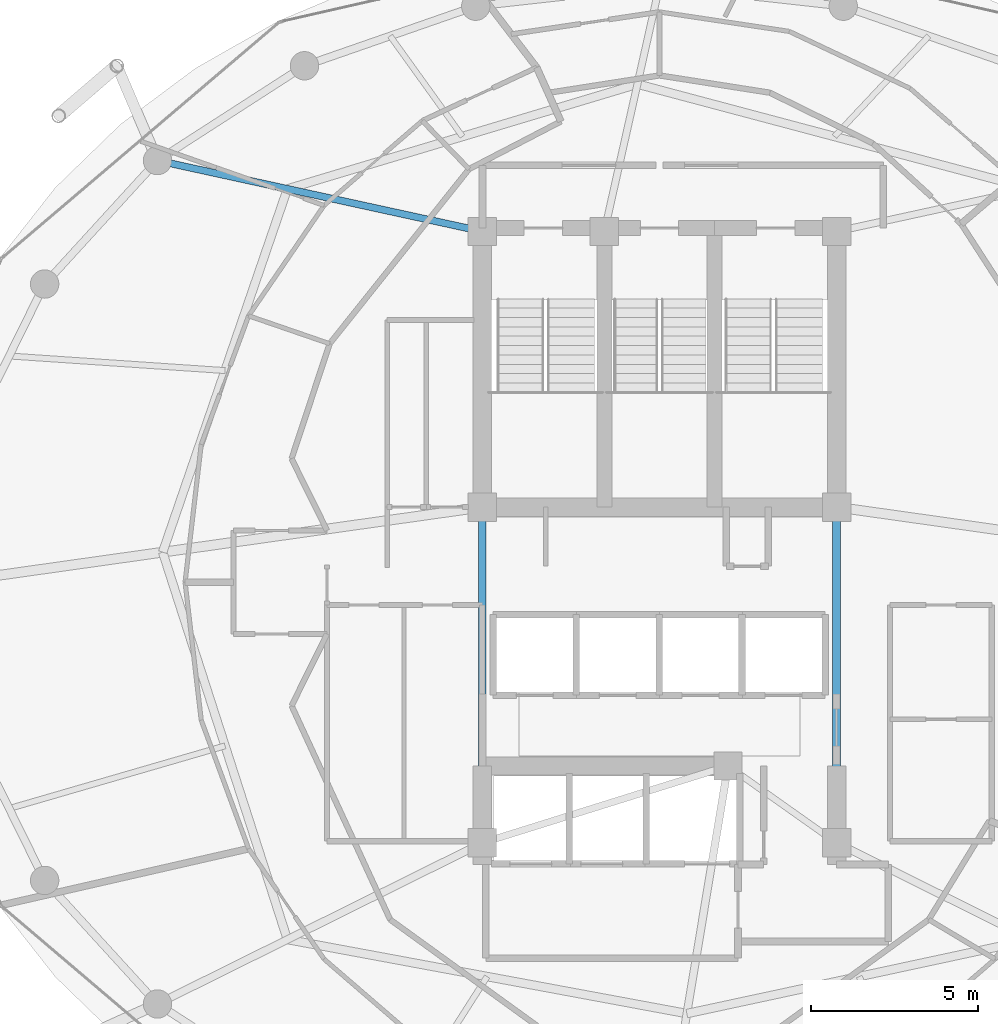
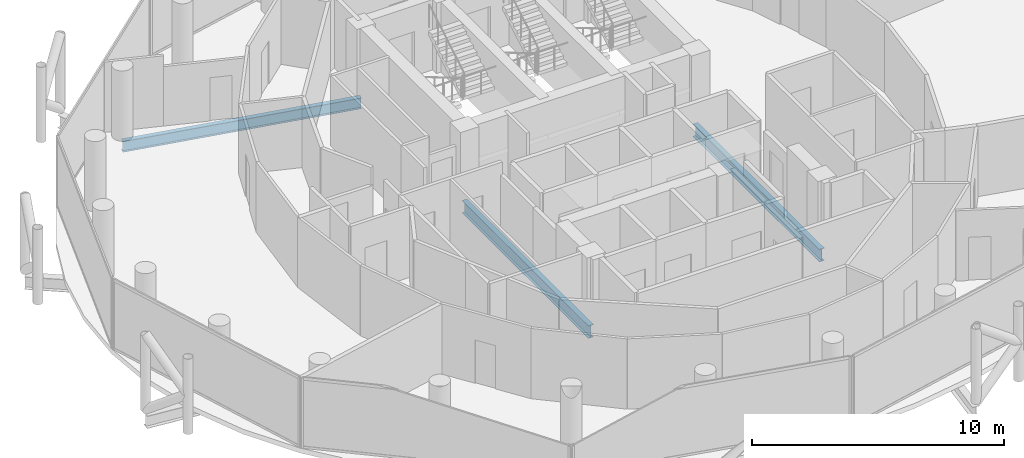
# One storey, part 10 of 27: 3 beams.
"""IFC4 building model written with IfcOpenShell, lengths in metres."""

from ifc_helpers import new_model, si_unit, direction, frame, origin, origin_2d, place, context, subcontext, project, spatial, i_section, extrude, material, material_profile, profile_set, type_object, element, save


model = new_model("IFC4")

# Units and contexts
model_context = context("Model", 3, precision=1e-05, world=origin(), true_north=direction((0.0, 1.0)))
body_context = subcontext(model_context, "Body", "Model", "MODEL_VIEW")
ifc_project = project(units=[si_unit("LENGTHUNIT", "METRE"), si_unit("AREAUNIT", "SQUARE_METRE"), si_unit("VOLUMEUNIT", "CUBIC_METRE"), si_unit("PLANEANGLEUNIT", "RADIAN"), si_unit("MASSUNIT", "GRAM", prefix="KILO")], contexts=[model_context])

# Site, building, storey
site_placement = place(None, origin())
site = spatial("IfcSite", under=ifc_project, at=site_placement, CompositionType="ELEMENT")
building_placement = place(site_placement, origin())
building = spatial("IfcBuilding", under=site, at=building_placement, Name="Nuhasar Tower", CompositionType="ELEMENT")
storey_placement = place(building_placement, frame((0.0, 0.0, 215.449951171875)))
storey = spatial("IfcBuildingStorey", under=building, at=storey_placement, Name="L52", CompositionType="ELEMENT", Elevation=215.449951171875)

# Beams
ifc_material = material(Name="Steel S355", Category="steel")
ifc_material_profile_1 = material_profile(ifc_material, i_section(OverallWidth=0.208984375, OverallDepth=0.528076171875, WebThickness=0.009521484375, FlangeThickness=0.01318359375, at=origin_2d()), Name="W21X55")
ifc_profile_set_1 = profile_set([ifc_material_profile_1], Name="Steel S355")
beam_type_1 = type_object("IfcBeamType", Name="BM-RAD-W21X55", PredefinedType="BEAM", material=ifc_profile_set_1)
beam_placement = place(storey_placement, frame((33.699951171875, 37.300048828125, -0.50390625), z_axis=(-0.977014275474, 0.213173885644, 0.0), x_axis=(-0.213173885644, -0.977014275474, 0.0)))
element("IfcBeam", 1, at=beam_placement, inside=storey, type_object=beam_type_1, Name="L52 Radial Floor Girder 07", PredefinedType="BEAM", context=body_context, shape_type="SweptSolid", body=[
    extrude(i_section(OverallWidth=0.208984375, OverallDepth=0.528076171875, WebThickness=0.009521484375, FlangeThickness=0.01318359375, at=origin_2d()), origin(), (0.0, 0.0, 1.0), 9.95458984375),
])
ifc_material_profile_2 = material_profile(ifc_material, i_section(OverallWidth=0.22900390625, OverallDepth=0.612060546875, WebThickness=0.011962890625, FlangeThickness=0.01953125, at=origin_2d()), Name="W24X84")
ifc_profile_set_2 = profile_set([ifc_material_profile_2], Name="Steel S355")
beam_type_2 = type_object("IfcBeamType", Name="BM-RAD-W24X84", PredefinedType="BEAM", material=ifc_profile_set_2)
for number, where, z_axis, x_axis, name in (
    (2, (44.300048828125, 19.0, -0.5458984375), (0.0, 1.0, 0.0), (-1.0, 0.0, 0.0), "L52 Core Ring Girder 3"),
    (3, (33.699951171875, 29.050048828125, -0.5458984375), (0.0, -1.0, 0.0), (1.0, 0.0, 0.0), "L52 Core Ring Girder 8"),
):
    element("IfcBeam", number, at=place(storey_placement, frame(where, z_axis=z_axis, x_axis=x_axis)), inside=storey, type_object=beam_type_2, Name=name, PredefinedType="BEAM", context=body_context, shape_type="SweptSolid", body=[
        extrude(i_section(OverallWidth=0.22900390625, OverallDepth=0.612060546875, WebThickness=0.011962890625, FlangeThickness=0.01953125, at=origin_2d()), origin(), (0.0, 0.0, 1.0), 10.050048828125),
    ])

save(model, "model.ifc")
